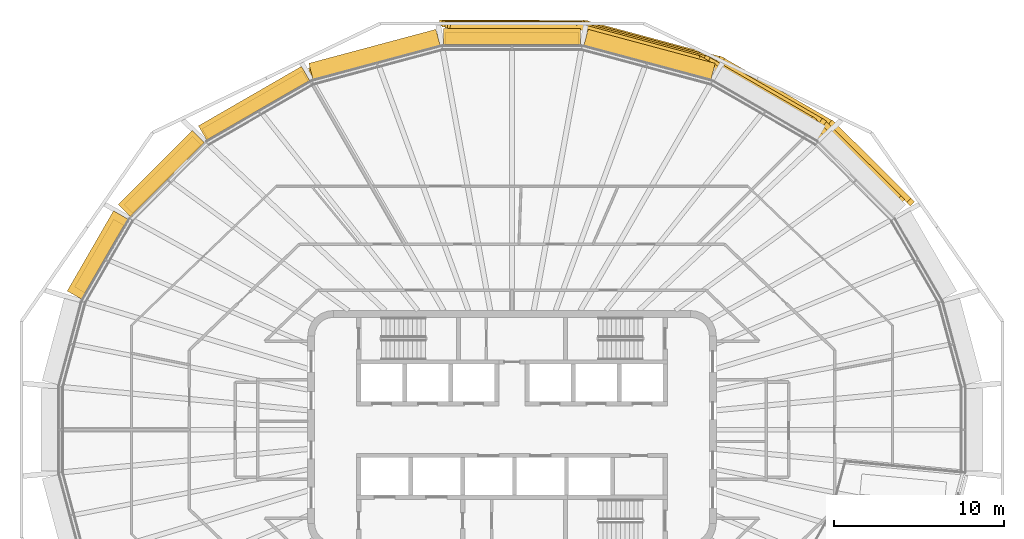
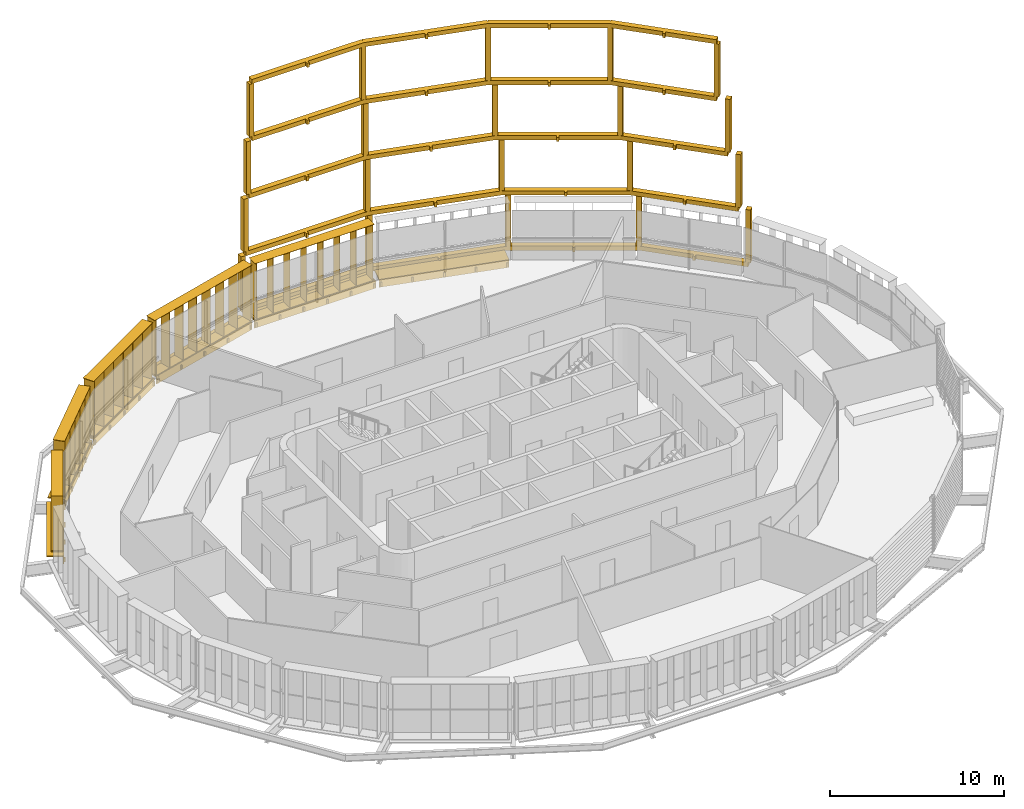
# One storey, part 20 of 21: 12 shading devices.
"""IFC4 building model written with IfcOpenShell, lengths in metres."""

from ifc_helpers import new_model, si_unit, direction, frame, origin, origin_2d, place, context, subcontext, project, spatial, polyline, rectangle, outline, extrude, material, type_object, element, save


model = new_model("IFC4")

# Units and contexts
model_context = context("Model", 3, precision=1e-05, world=origin(), true_north=direction((0.0, 1.0)))
body_context = subcontext(model_context, "Body", "Model", "MODEL_VIEW")
ifc_project = project(units=[si_unit("LENGTHUNIT", "METRE"), si_unit("AREAUNIT", "SQUARE_METRE"), si_unit("VOLUMEUNIT", "CUBIC_METRE"), si_unit("PLANEANGLEUNIT", "RADIAN"), si_unit("MASSUNIT", "GRAM", prefix="KILO")], contexts=[model_context])

# Site, building, storey
site_placement = place(None, origin())
site = spatial("IfcSite", under=ifc_project, at=site_placement, CompositionType="ELEMENT")
building_placement = place(site_placement, origin())
building = spatial("IfcBuilding", under=site, at=building_placement, Name="Sahrelin Media Tower", CompositionType="ELEMENT")
storey_placement = place(building_placement, frame((0.0, 0.0, 304.39990234375)))
storey = spatial("IfcBuildingStorey", under=building, at=storey_placement, Name="L67", CompositionType="ELEMENT", Elevation=304.39990234375)

# Shading devices
ifc_material_1 = material(Name="Dark bronze anodised aluminium 6063-T6", Category="aluminium")
shading_device_type_1 = type_object("IfcShadingDeviceType", Name="Deep frame", PredefinedType="USERDEFINED", material=ifc_material_1)
shading_device_1_placement = place(storey_placement, frame((22.478515625, 12.433837890625, 0.0), z_axis=(0.0, 0.0, 1.0), x_axis=(0.707106781187, -0.707106781187, 0.0)))
element("IfcShadingDevice", 1, at=shading_device_1_placement, inside=storey, type_object=shading_device_type_1, Name="L67:FRAME:F6-1", ObjectType="FRAME", PredefinedType="USERDEFINED", context=body_context, shape_type="SweptSolid", body=[
    extrude(rectangle(XDim=0.300048828125, YDim=0.35009765625, at=origin_2d()), frame((0.0, 1.324951171875, 0.14990234375), z_axis=(0.0, 0.0, 1.0), x_axis=(-1.0, 0.0, 0.0)), (0.0, 0.0, 1.0), 3.7001953125),
    extrude(rectangle(XDim=0.300048828125, YDim=0.35009765625, at=origin_2d()), frame((-6.5107421875, 1.313720703125, 0.14990234375), z_axis=(0.0, 0.0, 1.0), x_axis=(-0.991434606813, -0.130604059715, 0.0)), (0.0, 0.0, 1.0), 3.7001953125),
    extrude(rectangle(XDim=0.300048828125, YDim=0.35009765625, at=origin_2d()), frame((-13.78662109375, -0.635986328125, 0.14990234375), z_axis=(0.0, 0.0, 1.0), x_axis=(-0.923862165937, -0.382725356294, 0.0)), (0.0, 0.0, 1.0), 3.7001953125),
    extrude(rectangle(XDim=0.300048828125, YDim=0.35009765625, at=origin_2d()), frame((-20.952392578125, -4.77294921875, 0.14990234375), z_axis=(0.0, 0.0, 1.0), x_axis=(-0.793315089117, -0.608811275668, 0.0)), (0.0, 0.0, 1.0), 3.7001953125),
    extrude(rectangle(XDim=0.300048828125, YDim=0.35009765625, at=origin_2d()), frame((-26.902099609375, -10.706787109375, 0.14990234375), z_axis=(0.0, 0.0, 1.0), x_axis=(-0.707106781187, -0.707106781187, 0.0)), (0.0, 0.0, 1.0), 3.7001953125),
    extrude(outline(polyline([(-3.243896484375, 0.969970703125), (-3.093994140625, 0.969970703125), (-3.093994140625, 1.14453125), (0.000244140625, 1.14990234375), (-0.000244140625, 1.5), (-6.510986328125, 1.48876953125), (-6.5107421875, 1.313720703125), (-6.555908203125, 1.482666015625), (-13.83203125, -0.466796875), (-13.78662109375, -0.635986328125), (-13.874267578125, -0.484375), (-21.039794921875, -4.62158203125), (-20.952392578125, -4.77294921875), (-21.075927734375, -4.649169921875), (-27.025634765625, -10.5830078125), (-26.778564453125, -10.830810546875), (-23.917724609375, -7.977783203125), (-23.79443359375, -8.10107421875), (-23.688232421875, -7.9951171875), (-23.8115234375, -7.871826171875), (-20.844970703125, -4.9130859375), (-17.346923828125, -2.8935546875), (-17.2626953125, -3.03955078125), (-17.1328125, -2.964599609375), (-17.217041015625, -2.818603515625), (-13.718994140625, -0.799072265625), (-10.17578125, 0.150390625), (-10.132080078125, -0.012451171875), (-9.9873046875, 0.0263671875), (-10.031005859375, 0.189208984375), (-6.487548828125, 1.138671875), (-3.243896484375, 1.144287109375), (-3.243896484375, 0.969970703125)])), frame((0.0, 0.0, -0.14990234375)), (0.0, 0.0, 1.0), 0.2998046875),
    extrude(rectangle(XDim=0.300048828125, YDim=0.35009765625, at=origin_2d()), frame((-0.501220703125, 1.010009765625, 4.14990234375), z_axis=(0.0, 0.0, 1.0), x_axis=(-1.0, 0.0, 0.0)), (0.0, 0.0, 1.0), 3.7001953125),
    extrude(rectangle(XDim=0.300048828125, YDim=0.35009765625, at=origin_2d()), frame((-6.96435546875, 0.99853515625, 4.14990234375), z_axis=(0.0, 0.0, 1.0), x_axis=(-0.991447594891, -0.130505427419, 0.0)), (0.0, 0.0, 1.0), 3.7001953125),
    extrude(rectangle(XDim=0.300048828125, YDim=0.35009765625, at=origin_2d()), frame((-14.090087890625, -0.910888671875, 4.14990234375), z_axis=(0.0, 0.0, 1.0), x_axis=(-0.923897565017, -0.382639895143, 0.0)), (0.0, 0.0, 1.0), 3.7001953125),
    extrude(rectangle(XDim=0.300048828125, YDim=0.35009765625, at=origin_2d()), frame((-21.028076171875, -4.916259765625, 4.14990234375), z_axis=(0.0, 0.0, 1.0), x_axis=(-0.793362902596, -0.608748966968, 0.0)), (0.0, 0.0, 1.0), 3.7001953125),
    extrude(rectangle(XDim=0.300048828125, YDim=0.35009765625, at=origin_2d()), frame((-26.7587890625, -10.631103515625, 4.14990234375), z_axis=(0.0, 0.0, 1.0), x_axis=(-0.707106781187, -0.707106781187, 0.0)), (0.0, 0.0, 1.0), 3.7001953125),
    extrude(outline(polyline([(-3.72119140625, 0.655029296875), (-3.5712890625, 0.655029296875), (-3.5712890625, 0.82958984375), (-0.500732421875, 0.8349609375), (-0.50146484375, 1.18505859375), (-6.964599609375, 1.173583984375), (-6.96435546875, 0.99853515625), (-7.009765625, 1.167724609375), (-14.135498046875, -0.74169921875), (-14.090087890625, -0.910888671875), (-14.177490234375, -0.75927734375), (-21.115478515625, -4.7646484375), (-21.028076171875, -4.916259765625), (-21.151611328125, -4.79248046875), (-26.88232421875, -10.507080078125), (-26.63525390625, -10.7548828125), (-23.884033203125, -8.011474609375), (-23.760498046875, -8.134765625), (-23.654541015625, -8.02880859375), (-23.77783203125, -7.905517578125), (-20.920654296875, -5.056396484375), (-17.53662109375, -3.1025390625), (-17.4521484375, -3.24853515625), (-17.322265625, -3.173583984375), (-17.40673828125, -3.027587890625), (-14.022705078125, -1.07373046875), (-10.554443359375, -0.14453125), (-10.5107421875, -0.307373046875), (-10.365966796875, -0.2685546875), (-10.409423828125, -0.105712890625), (-6.941162109375, 0.82373046875), (-3.72119140625, 0.829345703125), (-3.72119140625, 0.655029296875)])), frame((0.0, 0.0, 3.85009765625)), (0.0, 0.0, 1.0), 0.2998046875),
    extrude(rectangle(XDim=0.300048828125, YDim=0.35009765625, at=origin_2d()), frame((-1.03857421875, 0.67626953125, 8.14990234375), z_axis=(0.0, 0.0, 1.0), x_axis=(-1.0, 0.0, 0.0)), (0.0, 0.0, 1.0), 3.7001953125),
    extrude(rectangle(XDim=0.300048828125, YDim=0.35009765625, at=origin_2d()), frame((-7.447509765625, 0.664794921875, 8.14990234375), z_axis=(0.0, 0.0, 1.0), x_axis=(-0.991449189241, -0.130493314592, 0.0)), (0.0, 0.0, 1.0), 3.7001953125),
    extrude(rectangle(XDim=0.300048828125, YDim=0.35009765625, at=origin_2d()), frame((-14.41015625, -1.20068359375, 8.14990234375), z_axis=(0.0, 0.0, 1.0), x_axis=(-0.923876860854, -0.382689882252, 0.0)), (0.0, 0.0, 1.0), 3.7001953125),
    extrude(rectangle(XDim=0.300048828125, YDim=0.35009765625, at=origin_2d()), frame((-21.107177734375, -5.0673828125, 8.14990234375), z_axis=(0.0, 0.0, 1.0), x_axis=(-0.793362902596, -0.608748966968, 0.0)), (0.0, 0.0, 1.0), 3.7001953125),
    extrude(rectangle(XDim=0.300048828125, YDim=0.35009765625, at=origin_2d()), frame((-26.60791015625, -10.552001953125, 8.14990234375), z_axis=(0.0, 0.0, 1.0), x_axis=(-0.707106781187, -0.707106781187, 0.0)), (0.0, 0.0, 1.0), 3.7001953125),
    extrude(outline(polyline([(-4.2314453125, 0.3212890625), (-4.08154296875, 0.3212890625), (-4.08154296875, 0.495849609375), (-1.038330078125, 0.501220703125), (-1.038818359375, 0.851318359375), (-7.44775390625, 0.83984375), (-7.447509765625, 0.664794921875), (-7.49267578125, 0.833984375), (-14.45556640625, -1.03173828125), (-14.41015625, -1.20068359375), (-14.497802734375, -1.04931640625), (-21.194580078125, -4.915771484375), (-21.107177734375, -5.0673828125), (-21.230712890625, -4.943359375), (-26.7314453125, -10.427978515625), (-26.484375, -10.67578125), (-23.84814453125, -8.04736328125), (-23.724609375, -8.1708984375), (-23.61865234375, -8.064697265625), (-23.741943359375, -7.94140625), (-20.999755859375, -5.20751953125), (-17.736083984375, -3.322998046875), (-17.65185546875, -3.46923828125), (-17.521728515625, -3.394287109375), (-17.606201171875, -3.248046875), (-14.342529296875, -1.364013671875), (-10.9560546875, -0.456298828125), (-10.912353515625, -0.619384765625), (-10.767333984375, -0.58056640625), (-10.81103515625, -0.41748046875), (-7.42431640625, 0.489990234375), (-4.2314453125, 0.49560546875), (-4.2314453125, 0.3212890625)])), frame((0.0, 0.0, 7.85009765625)), (0.0, 0.0, 1.0), 0.2998046875),
    extrude(rectangle(XDim=0.300048828125, YDim=0.35009765625, at=origin_2d()), frame((-1.613037109375, 0.32421875, 12.14990234375), z_axis=(0.0, 0.0, 1.0), x_axis=(-1.0, 0.0, 0.0)), (0.0, 0.0, 1.0), 3.7001953125),
    extrude(rectangle(XDim=0.300048828125, YDim=0.35009765625, at=origin_2d()), frame((-7.95947265625, 0.312744140625, 12.14990234375), z_axis=(0.0, 0.0, 1.0), x_axis=(-0.991436202368, -0.130591947046, 0.0)), (0.0, 0.0, 1.0), 3.7001953125),
    extrude(rectangle(XDim=0.300048828125, YDim=0.35009765625, at=origin_2d()), frame((-14.74609375, -1.505615234375, 12.14990234375), z_axis=(0.0, 0.0, 1.0), x_axis=(-0.923876860854, -0.382689882252, 0.0)), (0.0, 0.0, 1.0), 3.7001953125),
    extrude(rectangle(XDim=0.300048828125, YDim=0.35009765625, at=origin_2d()), frame((-21.18896484375, -5.2255859375, 12.14990234375), z_axis=(0.0, 0.0, 1.0), x_axis=(-0.793315089117, -0.608811275668, 0.0)), (0.0, 0.0, 1.0), 3.7001953125),
    extrude(rectangle(XDim=0.300048828125, YDim=0.35009765625, at=origin_2d()), frame((-26.44970703125, -10.47021484375, 12.14990234375), z_axis=(0.0, 0.0, 1.0), x_axis=(-0.707106781187, -0.707106781187, 0.0)), (0.0, 0.0, 1.0), 3.7001953125),
    extrude(outline(polyline([(-4.77490234375, -0.031005859375), (-4.625, -0.031005859375), (-4.625, 0.143798828125), (-1.61279296875, 0.149169921875), (-1.61328125, 0.4990234375), (-7.959716796875, 0.48779296875), (-7.95947265625, 0.312744140625), (-8.0048828125, 0.481689453125), (-14.791259765625, -1.336669921875), (-14.74609375, -1.505615234375), (-14.83349609375, -1.35400390625), (-21.276611328125, -5.073974609375), (-21.18896484375, -5.2255859375), (-21.3125, -5.1015625), (-26.5732421875, -10.34619140625), (-26.326171875, -10.593994140625), (-23.809814453125, -8.085693359375), (-23.6865234375, -8.208984375), (-23.580322265625, -8.102783203125), (-23.70361328125, -7.979736328125), (-21.08154296875, -5.365478515625), (-17.94482421875, -3.5546875), (-17.860595703125, -3.70068359375), (-17.730712890625, -3.625732421875), (-17.81494140625, -3.4794921875), (-14.678466796875, -1.668701171875), (-11.3798828125, -0.784912109375), (-11.336181640625, -0.94775390625), (-11.19140625, -0.908935546875), (-11.235107421875, -0.74609375), (-7.936279296875, 0.1376953125), (-4.77490234375, 0.143310546875), (-4.77490234375, -0.031005859375)])), frame((0.0, 0.0, 11.85009765625)), (0.0, 0.0, 1.0), 0.2998046875),
    extrude(outline(polyline([(-4.77490234375, -0.031005859375), (-4.625, -0.031005859375), (-4.625, 0.143798828125), (-1.61279296875, 0.149169921875), (-1.61328125, 0.4990234375), (-7.959716796875, 0.48779296875), (-7.95947265625, 0.312744140625), (-8.0048828125, 0.481689453125), (-14.791259765625, -1.336669921875), (-14.74609375, -1.505615234375), (-14.83349609375, -1.35400390625), (-21.276611328125, -5.073974609375), (-21.18896484375, -5.2255859375), (-21.3125, -5.1015625), (-26.5732421875, -10.34619140625), (-26.326171875, -10.593994140625), (-23.809814453125, -8.085693359375), (-23.6865234375, -8.208984375), (-23.580322265625, -8.102783203125), (-23.70361328125, -7.979736328125), (-21.08154296875, -5.365478515625), (-17.94482421875, -3.5546875), (-17.860595703125, -3.70068359375), (-17.730712890625, -3.625732421875), (-17.81494140625, -3.4794921875), (-14.678466796875, -1.668701171875), (-11.3798828125, -0.784912109375), (-11.336181640625, -0.94775390625), (-11.19140625, -0.908935546875), (-11.235107421875, -0.74609375), (-7.936279296875, 0.1376953125), (-4.77490234375, 0.143310546875), (-4.77490234375, -0.031005859375)])), frame((0.0, 0.0, 15.85009765625)), (0.0, 0.0, 1.0), 0.2998046875),
])
ifc_material_2 = material(Name="Champagne anodised aluminium 6063-T6", Category="aluminium")
shading_device_type_2 = type_object("IfcShadingDeviceType", Name="Fin cassette", PredefinedType="USERDEFINED", material=ifc_material_2)
placement_1 = place(storey_placement, frame((0.0, 22.560791015625, 0.0), z_axis=(0.0, 0.0, 1.0), x_axis=(1.0, 0.0, 0.0)))
element("IfcShadingDevice", 2, at=placement_1, inside=storey, type_object=shading_device_type_2, Name="L67:FIN:L67-06", ObjectType="FIN", PredefinedType="USERDEFINED", context=body_context, shape_type="SweptSolid", body=[
    extrude(rectangle(XDim=7.89990234375, YDim=0.699951171875, at=origin_2d()), frame((0.0, 0.419921875, 0.0)), (0.0, 0.0, 1.0), 0.02001953125),
    extrude(rectangle(XDim=7.89990234375, YDim=0.699951171875, at=origin_2d()), frame((0.0, 0.419921875, 3.89990234375)), (0.0, 0.0, 1.0), 0.02001953125),
    extrude(rectangle(XDim=0.02001953125, YDim=0.699951171875, at=origin_2d()), frame((-3.85009765625, 0.419921875, 0.010009765625), z_axis=(0.0, 0.0, 1.0), x_axis=(1.0, 0.0, 0.0)), (0.0, 0.0, 1.0), 3.89990234375),
    extrude(rectangle(XDim=0.02001953125, YDim=0.699951171875, at=origin_2d()), frame((-2.75, 0.419921875, 0.010009765625), z_axis=(0.0, 0.0, 1.0), x_axis=(1.0, 0.0, 0.0)), (0.0, 0.0, 1.0), 3.89990234375),
    extrude(rectangle(XDim=0.02001953125, YDim=0.699951171875, at=origin_2d()), frame((-1.64990234375, 0.419921875, 0.010009765625), z_axis=(0.0, 0.0, 1.0), x_axis=(1.0, 0.0, 0.0)), (0.0, 0.0, 1.0), 3.89990234375),
    extrude(rectangle(XDim=0.02001953125, YDim=0.699951171875, at=origin_2d()), frame((-0.550048828125, 0.419921875, 0.010009765625), z_axis=(0.0, 0.0, 1.0), x_axis=(1.0, 0.0, 0.0)), (0.0, 0.0, 1.0), 3.89990234375),
    extrude(rectangle(XDim=0.02001953125, YDim=0.699951171875, at=origin_2d()), frame((0.550048828125, 0.419921875, 0.010009765625), z_axis=(0.0, 0.0, 1.0), x_axis=(1.0, 0.0, 0.0)), (0.0, 0.0, 1.0), 3.89990234375),
    extrude(rectangle(XDim=0.02001953125, YDim=0.699951171875, at=origin_2d()), frame((1.64990234375, 0.419921875, 0.010009765625), z_axis=(0.0, 0.0, 1.0), x_axis=(1.0, 0.0, 0.0)), (0.0, 0.0, 1.0), 3.89990234375),
    extrude(rectangle(XDim=0.02001953125, YDim=0.699951171875, at=origin_2d()), frame((2.75, 0.419921875, 0.010009765625), z_axis=(0.0, 0.0, 1.0), x_axis=(1.0, 0.0, 0.0)), (0.0, 0.0, 1.0), 3.89990234375),
    extrude(rectangle(XDim=0.02001953125, YDim=0.699951171875, at=origin_2d()), frame((3.85009765625, 0.419921875, 0.010009765625), z_axis=(0.0, 0.0, 1.0), x_axis=(1.0, 0.0, 0.0)), (0.0, 0.0, 1.0), 3.89990234375),
])
placement_2 = place(storey_placement, frame((-7.944091796875, 21.53466796875, 0.0), z_axis=(0.0, 0.0, 1.0), x_axis=(0.965928857556, 0.258807731996, 0.0)))
element("IfcShadingDevice", 3, at=placement_2, inside=storey, type_object=shading_device_type_2, Name="L67:FIN:L67-07", ObjectType="FIN", PredefinedType="USERDEFINED", context=body_context, shape_type="SweptSolid", body=[
    extrude(rectangle(XDim=7.89990234375, YDim=0.699951171875, at=origin_2d()), frame((0.0, 0.419921875, 0.0)), (0.0, 0.0, 1.0), 0.02001953125),
    extrude(rectangle(XDim=7.89990234375, YDim=0.699951171875, at=origin_2d()), frame((0.0, 0.419921875, 3.89990234375)), (0.0, 0.0, 1.0), 0.02001953125),
    extrude(rectangle(XDim=0.02001953125, YDim=0.699951171875, at=origin_2d()), frame((-3.85009765625, 0.419921875, 0.010009765625), z_axis=(0.0, 0.0, 1.0), x_axis=(1.0, 0.0, 0.0)), (0.0, 0.0, 1.0), 3.89990234375),
    extrude(rectangle(XDim=0.02001953125, YDim=0.699951171875, at=origin_2d()), frame((-2.75, 0.419921875, 0.010009765625), z_axis=(0.0, 0.0, 1.0), x_axis=(1.0, 0.0, 0.0)), (0.0, 0.0, 1.0), 3.89990234375),
    extrude(rectangle(XDim=0.02001953125, YDim=0.699951171875, at=origin_2d()), frame((-1.64990234375, 0.419921875, 0.010009765625), z_axis=(0.0, 0.0, 1.0), x_axis=(1.0, 0.0, 0.0)), (0.0, 0.0, 1.0), 3.89990234375),
    extrude(rectangle(XDim=0.02001953125, YDim=0.699951171875, at=origin_2d()), frame((-0.550048828125, 0.419921875, 0.010009765625), z_axis=(0.0, 0.0, 1.0), x_axis=(1.0, 0.0, 0.0)), (0.0, 0.0, 1.0), 3.89990234375),
    extrude(rectangle(XDim=0.02001953125, YDim=0.699951171875, at=origin_2d()), frame((0.550048828125, 0.419921875, 0.010009765625), z_axis=(0.0, 0.0, 1.0), x_axis=(1.0, 0.0, 0.0)), (0.0, 0.0, 1.0), 3.89990234375),
    extrude(rectangle(XDim=0.02001953125, YDim=0.699951171875, at=origin_2d()), frame((1.64990234375, 0.419921875, 0.010009765625), z_axis=(0.0, 0.0, 1.0), x_axis=(1.0, 0.0, 0.0)), (0.0, 0.0, 1.0), 3.89990234375),
    extrude(rectangle(XDim=0.02001953125, YDim=0.699951171875, at=origin_2d()), frame((2.75, 0.419921875, 0.010009765625), z_axis=(0.0, 0.0, 1.0), x_axis=(1.0, 0.0, 0.0)), (0.0, 0.0, 1.0), 3.89990234375),
    extrude(rectangle(XDim=0.02001953125, YDim=0.699951171875, at=origin_2d()), frame((3.85009765625, 0.419921875, 0.010009765625), z_axis=(0.0, 0.0, 1.0), x_axis=(1.0, 0.0, 0.0)), (0.0, 0.0, 1.0), 3.89990234375),
])
placement_3 = place(storey_placement, frame((-14.885009765625, 18.712158203125, 0.0), z_axis=(0.0, 0.0, 1.0), x_axis=(0.866019052629, 0.500011000363, 0.0)))
element("IfcShadingDevice", 4, at=placement_3, inside=storey, type_object=shading_device_type_2, Name="L67:FIN:L67-08", ObjectType="FIN", PredefinedType="USERDEFINED", context=body_context, shape_type="SweptSolid", body=[
    extrude(rectangle(XDim=6.800048828125, YDim=0.699951171875, at=origin_2d()), frame((0.0, 0.419921875, 0.0)), (0.0, 0.0, 1.0), 0.02001953125),
    extrude(rectangle(XDim=6.800048828125, YDim=0.699951171875, at=origin_2d()), frame((0.0, 0.419921875, 3.89990234375)), (0.0, 0.0, 1.0), 0.02001953125),
    extrude(rectangle(XDim=0.02001953125, YDim=0.699951171875, at=origin_2d()), frame((-3.300048828125, 0.419921875, 0.010009765625), z_axis=(0.0, 0.0, 1.0), x_axis=(1.0, 0.0, 0.0)), (0.0, 0.0, 1.0), 3.89990234375),
    extrude(rectangle(XDim=0.02001953125, YDim=0.699951171875, at=origin_2d()), frame((-2.199951171875, 0.419921875, 0.010009765625), z_axis=(0.0, 0.0, 1.0), x_axis=(1.0, 0.0, 0.0)), (0.0, 0.0, 1.0), 3.89990234375),
    extrude(rectangle(XDim=0.02001953125, YDim=0.699951171875, at=origin_2d()), frame((-1.10009765625, 0.419921875, 0.010009765625), z_axis=(0.0, 0.0, 1.0), x_axis=(1.0, 0.0, 0.0)), (0.0, 0.0, 1.0), 3.89990234375),
    extrude(rectangle(XDim=0.02001953125, YDim=0.699951171875, at=origin_2d()), frame((0.0, 0.419921875, 0.010009765625), z_axis=(0.0, 0.0, 1.0), x_axis=(1.0, 0.0, 0.0)), (0.0, 0.0, 1.0), 3.89990234375),
    extrude(rectangle(XDim=0.02001953125, YDim=0.699951171875, at=origin_2d()), frame((1.10009765625, 0.419921875, 0.010009765625), z_axis=(0.0, 0.0, 1.0), x_axis=(1.0, 0.0, 0.0)), (0.0, 0.0, 1.0), 3.89990234375),
    extrude(rectangle(XDim=0.02001953125, YDim=0.699951171875, at=origin_2d()), frame((2.199951171875, 0.419921875, 0.010009765625), z_axis=(0.0, 0.0, 1.0), x_axis=(1.0, 0.0, 0.0)), (0.0, 0.0, 1.0), 3.89990234375),
    extrude(rectangle(XDim=0.02001953125, YDim=0.699951171875, at=origin_2d()), frame((3.300048828125, 0.419921875, 0.010009765625), z_axis=(0.0, 0.0, 1.0), x_axis=(1.0, 0.0, 0.0)), (0.0, 0.0, 1.0), 3.89990234375),
])
placement_4 = place(storey_placement, frame((-20.23779296875, 14.6748046875, 0.0), z_axis=(0.0, 0.0, 1.0), x_axis=(0.707106781187, 0.707106781187, 0.0)))
element("IfcShadingDevice", 5, at=placement_4, inside=storey, type_object=shading_device_type_2, Name="L67:FIN:L67-09", ObjectType="FIN", PredefinedType="USERDEFINED", context=body_context, shape_type="SweptSolid", body=[
    extrude(rectangle(XDim=5.699951171875, YDim=0.699951171875, at=origin_2d()), frame((0.0, 0.419921875, 0.0)), (0.0, 0.0, 1.0), 0.02001953125),
    extrude(rectangle(XDim=5.699951171875, YDim=0.699951171875, at=origin_2d()), frame((0.0, 0.419921875, 3.89990234375)), (0.0, 0.0, 1.0), 0.02001953125),
    extrude(rectangle(XDim=0.02001953125, YDim=0.699951171875, at=origin_2d()), frame((-2.75, 0.419921875, 0.010009765625), z_axis=(0.0, 0.0, 1.0), x_axis=(1.0, 0.0, 0.0)), (0.0, 0.0, 1.0), 3.89990234375),
    extrude(rectangle(XDim=0.02001953125, YDim=0.699951171875, at=origin_2d()), frame((-1.64990234375, 0.419921875, 0.010009765625), z_axis=(0.0, 0.0, 1.0), x_axis=(1.0, 0.0, 0.0)), (0.0, 0.0, 1.0), 3.89990234375),
    extrude(rectangle(XDim=0.02001953125, YDim=0.699951171875, at=origin_2d()), frame((-0.550048828125, 0.419921875, 0.010009765625), z_axis=(0.0, 0.0, 1.0), x_axis=(1.0, 0.0, 0.0)), (0.0, 0.0, 1.0), 3.89990234375),
    extrude(rectangle(XDim=0.02001953125, YDim=0.699951171875, at=origin_2d()), frame((0.550048828125, 0.419921875, 0.010009765625), z_axis=(0.0, 0.0, 1.0), x_axis=(1.0, 0.0, 0.0)), (0.0, 0.0, 1.0), 3.89990234375),
    extrude(rectangle(XDim=0.02001953125, YDim=0.699951171875, at=origin_2d()), frame((1.64990234375, 0.419921875, 0.010009765625), z_axis=(0.0, 0.0, 1.0), x_axis=(1.0, 0.0, 0.0)), (0.0, 0.0, 1.0), 3.89990234375),
    extrude(rectangle(XDim=0.02001953125, YDim=0.699951171875, at=origin_2d()), frame((2.75, 0.419921875, 0.010009765625), z_axis=(0.0, 0.0, 1.0), x_axis=(1.0, 0.0, 0.0)), (0.0, 0.0, 1.0), 3.89990234375),
])
placement_5 = place(storey_placement, frame((-23.887939453125, 9.992431640625, 0.0), z_axis=(0.0, 0.0, 1.0), x_axis=(0.500011000363, 0.866019052629, 0.0)))
element("IfcShadingDevice", 6, at=placement_5, inside=storey, type_object=shading_device_type_2, Name="L67:FIN:L67-10", ObjectType="FIN", PredefinedType="USERDEFINED", context=body_context, shape_type="SweptSolid", body=[
    extrude(rectangle(XDim=4.60009765625, YDim=0.699951171875, at=origin_2d()), frame((0.0, 0.419921875, 0.0)), (0.0, 0.0, 1.0), 0.02001953125),
    extrude(rectangle(XDim=4.60009765625, YDim=0.699951171875, at=origin_2d()), frame((0.0, 0.419921875, 3.89990234375)), (0.0, 0.0, 1.0), 0.02001953125),
    extrude(rectangle(XDim=0.02001953125, YDim=0.699951171875, at=origin_2d()), frame((-2.199951171875, 0.419921875, 0.010009765625), z_axis=(0.0, 0.0, 1.0), x_axis=(1.0, 0.0, 0.0)), (0.0, 0.0, 1.0), 3.89990234375),
    extrude(rectangle(XDim=0.02001953125, YDim=0.699951171875, at=origin_2d()), frame((-1.10009765625, 0.419921875, 0.010009765625), z_axis=(0.0, 0.0, 1.0), x_axis=(1.0, 0.0, 0.0)), (0.0, 0.0, 1.0), 3.89990234375),
    extrude(rectangle(XDim=0.02001953125, YDim=0.699951171875, at=origin_2d()), frame((0.0, 0.419921875, 0.010009765625), z_axis=(0.0, 0.0, 1.0), x_axis=(1.0, 0.0, 0.0)), (0.0, 0.0, 1.0), 3.89990234375),
    extrude(rectangle(XDim=0.02001953125, YDim=0.699951171875, at=origin_2d()), frame((1.10009765625, 0.419921875, 0.010009765625), z_axis=(0.0, 0.0, 1.0), x_axis=(1.0, 0.0, 0.0)), (0.0, 0.0, 1.0), 3.89990234375),
    extrude(rectangle(XDim=0.02001953125, YDim=0.699951171875, at=origin_2d()), frame((2.199951171875, 0.419921875, 0.010009765625), z_axis=(0.0, 0.0, 1.0), x_axis=(1.0, 0.0, 0.0)), (0.0, 0.0, 1.0), 3.89990234375),
])
shading_device_type_3 = type_object("IfcShadingDeviceType", Name="Sunshade band", PredefinedType="USERDEFINED", material=ifc_material_2)
shading_device_7_placement = place(storey_placement, frame((7.944091796875, 21.53466796875, 0.0), z_axis=(0.0, 0.0, 1.0), x_axis=(0.965928857556, -0.258807731996, 0.0)))
element("IfcShadingDevice", 7, at=shading_device_7_placement, inside=storey, type_object=shading_device_type_3, Name="L67:SUN:L67-05", ObjectType="SUNSHADE", PredefinedType="USERDEFINED", context=body_context, shape_type="SweptSolid", body=[
    extrude(rectangle(XDim=7.728271484375, YDim=0.050048828125, at=origin_2d()), frame((0.0, 0.044921875, -0.55126953125)), (0.0, 0.0, 1.0), 0.471435546875),
    extrude(rectangle(XDim=7.728271484375, YDim=1.0, at=origin_2d()), frame((0.0, 0.52001953125, -0.080078125)), (0.0, 0.0, 1.0), 0.080078125),
    extrude(rectangle(XDim=0.10009765625, YDim=0.074951171875, at=origin_2d()), frame((-3.76416015625, -0.017578125, -0.47021484375)), (0.0, 0.0, 1.0), 0.300048828125),
    extrude(rectangle(XDim=0.10009765625, YDim=0.074951171875, at=origin_2d()), frame((-1.882080078125, -0.017578125, -0.47021484375)), (0.0, 0.0, 1.0), 0.300048828125),
    extrude(rectangle(XDim=0.10009765625, YDim=0.074951171875, at=origin_2d()), frame((0.0, -0.017578125, -0.47021484375)), (0.0, 0.0, 1.0), 0.300048828125),
    extrude(rectangle(XDim=0.10009765625, YDim=0.074951171875, at=origin_2d()), frame((1.882080078125, -0.017578125, -0.47021484375)), (0.0, 0.0, 1.0), 0.300048828125),
    extrude(rectangle(XDim=0.10009765625, YDim=0.074951171875, at=origin_2d()), frame((3.76416015625, -0.017578125, -0.47021484375)), (0.0, 0.0, 1.0), 0.300048828125),
])
element("IfcShadingDevice", 8, at=placement_1, inside=storey, type_object=shading_device_type_3, Name="L67:SUN:L67-06", ObjectType="SUNSHADE", PredefinedType="USERDEFINED", context=body_context, shape_type="SweptSolid", body=[
    extrude(rectangle(XDim=8.030029296875, YDim=0.050048828125, at=origin_2d()), frame((0.0, 0.044921875, -0.55126953125)), (0.0, 0.0, 1.0), 0.471435546875),
    extrude(rectangle(XDim=8.030029296875, YDim=1.0, at=origin_2d()), frame((0.0, 0.52001953125, -0.080078125)), (0.0, 0.0, 1.0), 0.080078125),
    extrude(rectangle(XDim=0.10009765625, YDim=0.074951171875, at=origin_2d()), frame((-3.9150390625, -0.017578125, -0.47021484375)), (0.0, 0.0, 1.0), 0.300048828125),
    extrude(rectangle(XDim=0.10009765625, YDim=0.074951171875, at=origin_2d()), frame((-2.34912109375, -0.017578125, -0.47021484375)), (0.0, 0.0, 1.0), 0.300048828125),
    extrude(rectangle(XDim=0.10009765625, YDim=0.074951171875, at=origin_2d()), frame((-0.782958984375, -0.017578125, -0.47021484375)), (0.0, 0.0, 1.0), 0.300048828125),
    extrude(rectangle(XDim=0.10009765625, YDim=0.074951171875, at=origin_2d()), frame((0.782958984375, -0.017578125, -0.47021484375)), (0.0, 0.0, 1.0), 0.300048828125),
    extrude(rectangle(XDim=0.10009765625, YDim=0.074951171875, at=origin_2d()), frame((2.34912109375, -0.017578125, -0.47021484375)), (0.0, 0.0, 1.0), 0.300048828125),
    extrude(rectangle(XDim=0.10009765625, YDim=0.074951171875, at=origin_2d()), frame((3.9150390625, -0.017578125, -0.47021484375)), (0.0, 0.0, 1.0), 0.300048828125),
])
element("IfcShadingDevice", 9, at=placement_2, inside=storey, type_object=shading_device_type_3, Name="L67:SUN:L67-07", ObjectType="SUNSHADE", PredefinedType="USERDEFINED", context=body_context, shape_type="SweptSolid", body=[
    extrude(rectangle(XDim=7.728271484375, YDim=0.050048828125, at=origin_2d()), frame((0.0, 0.044921875, -0.55126953125)), (0.0, 0.0, 1.0), 0.471435546875),
    extrude(rectangle(XDim=7.728271484375, YDim=1.0, at=origin_2d()), frame((0.0, 0.52001953125, -0.080078125)), (0.0, 0.0, 1.0), 0.080078125),
    extrude(rectangle(XDim=0.10009765625, YDim=0.074951171875, at=origin_2d()), frame((-3.76416015625, -0.017578125, -0.47021484375)), (0.0, 0.0, 1.0), 0.300048828125),
    extrude(rectangle(XDim=0.10009765625, YDim=0.074951171875, at=origin_2d()), frame((-1.882080078125, -0.017578125, -0.47021484375)), (0.0, 0.0, 1.0), 0.300048828125),
    extrude(rectangle(XDim=0.10009765625, YDim=0.074951171875, at=origin_2d()), frame((0.0, -0.017578125, -0.47021484375)), (0.0, 0.0, 1.0), 0.300048828125),
    extrude(rectangle(XDim=0.10009765625, YDim=0.074951171875, at=origin_2d()), frame((1.882080078125, -0.017578125, -0.47021484375)), (0.0, 0.0, 1.0), 0.300048828125),
    extrude(rectangle(XDim=0.10009765625, YDim=0.074951171875, at=origin_2d()), frame((3.76416015625, -0.017578125, -0.47021484375)), (0.0, 0.0, 1.0), 0.300048828125),
])
element("IfcShadingDevice", 10, at=placement_3, inside=storey, type_object=shading_device_type_3, Name="L67:SUN:L67-08", ObjectType="SUNSHADE", PredefinedType="USERDEFINED", context=body_context, shape_type="SweptSolid", body=[
    extrude(rectangle(XDim=6.98681640625, YDim=0.050048828125, at=origin_2d()), frame((0.0, 0.044921875, -0.55126953125)), (0.0, 0.0, 1.0), 0.471435546875),
    extrude(rectangle(XDim=6.98681640625, YDim=1.0, at=origin_2d()), frame((0.0, 0.52001953125, -0.080078125)), (0.0, 0.0, 1.0), 0.080078125),
    extrude(rectangle(XDim=0.10009765625, YDim=0.074951171875, at=origin_2d()), frame((-3.393310546875, -0.017578125, -0.47021484375)), (0.0, 0.0, 1.0), 0.300048828125),
    extrude(rectangle(XDim=0.10009765625, YDim=0.074951171875, at=origin_2d()), frame((-1.69677734375, -0.017578125, -0.47021484375)), (0.0, 0.0, 1.0), 0.300048828125),
    extrude(rectangle(XDim=0.10009765625, YDim=0.074951171875, at=origin_2d()), frame((0.0, -0.017578125, -0.47021484375)), (0.0, 0.0, 1.0), 0.300048828125),
    extrude(rectangle(XDim=0.10009765625, YDim=0.074951171875, at=origin_2d()), frame((1.69677734375, -0.017578125, -0.47021484375)), (0.0, 0.0, 1.0), 0.300048828125),
    extrude(rectangle(XDim=0.10009765625, YDim=0.074951171875, at=origin_2d()), frame((3.393310546875, -0.017578125, -0.47021484375)), (0.0, 0.0, 1.0), 0.300048828125),
])
element("IfcShadingDevice", 11, at=placement_4, inside=storey, type_object=shading_device_type_3, Name="L67:SUN:L67-09", ObjectType="SUNSHADE", PredefinedType="USERDEFINED", context=body_context, shape_type="SweptSolid", body=[
    extrude(rectangle(XDim=6.1376953125, YDim=0.050048828125, at=origin_2d()), frame((0.0, 0.044921875, -0.55126953125)), (0.0, 0.0, 1.0), 0.471435546875),
    extrude(rectangle(XDim=6.1376953125, YDim=1.0, at=origin_2d()), frame((0.0, 0.52001953125, -0.080078125)), (0.0, 0.0, 1.0), 0.080078125),
    extrude(rectangle(XDim=0.10009765625, YDim=0.074951171875, at=origin_2d()), frame((-2.968994140625, -0.017578125, -0.47021484375)), (0.0, 0.0, 1.0), 0.300048828125),
    extrude(rectangle(XDim=0.10009765625, YDim=0.074951171875, at=origin_2d()), frame((-1.484375, -0.017578125, -0.47021484375)), (0.0, 0.0, 1.0), 0.300048828125),
    extrude(rectangle(XDim=0.10009765625, YDim=0.074951171875, at=origin_2d()), frame((0.0, -0.017578125, -0.47021484375)), (0.0, 0.0, 1.0), 0.300048828125),
    extrude(rectangle(XDim=0.10009765625, YDim=0.074951171875, at=origin_2d()), frame((1.484375, -0.017578125, -0.47021484375)), (0.0, 0.0, 1.0), 0.300048828125),
    extrude(rectangle(XDim=0.10009765625, YDim=0.074951171875, at=origin_2d()), frame((2.968994140625, -0.017578125, -0.47021484375)), (0.0, 0.0, 1.0), 0.300048828125),
])
element("IfcShadingDevice", 12, at=placement_5, inside=storey, type_object=shading_device_type_3, Name="L67:SUN:L67-10", ObjectType="SUNSHADE", PredefinedType="USERDEFINED", context=body_context, shape_type="SweptSolid", body=[
    extrude(rectangle(XDim=5.438232421875, YDim=0.050048828125, at=origin_2d()), frame((0.0, 0.044921875, -0.55126953125)), (0.0, 0.0, 1.0), 0.471435546875),
    extrude(rectangle(XDim=5.438232421875, YDim=1.0, at=origin_2d()), frame((0.0, 0.52001953125, -0.080078125)), (0.0, 0.0, 1.0), 0.080078125),
    extrude(rectangle(XDim=0.10009765625, YDim=0.074951171875, at=origin_2d()), frame((-2.619140625, -0.017578125, -0.47021484375)), (0.0, 0.0, 1.0), 0.300048828125),
    extrude(rectangle(XDim=0.10009765625, YDim=0.074951171875, at=origin_2d()), frame((-0.873046875, -0.017578125, -0.47021484375)), (0.0, 0.0, 1.0), 0.300048828125),
    extrude(rectangle(XDim=0.10009765625, YDim=0.074951171875, at=origin_2d()), frame((0.873046875, -0.017578125, -0.47021484375)), (0.0, 0.0, 1.0), 0.300048828125),
    extrude(rectangle(XDim=0.10009765625, YDim=0.074951171875, at=origin_2d()), frame((2.619140625, -0.017578125, -0.47021484375)), (0.0, 0.0, 1.0), 0.300048828125),
])

save(model, "model.ifc")
